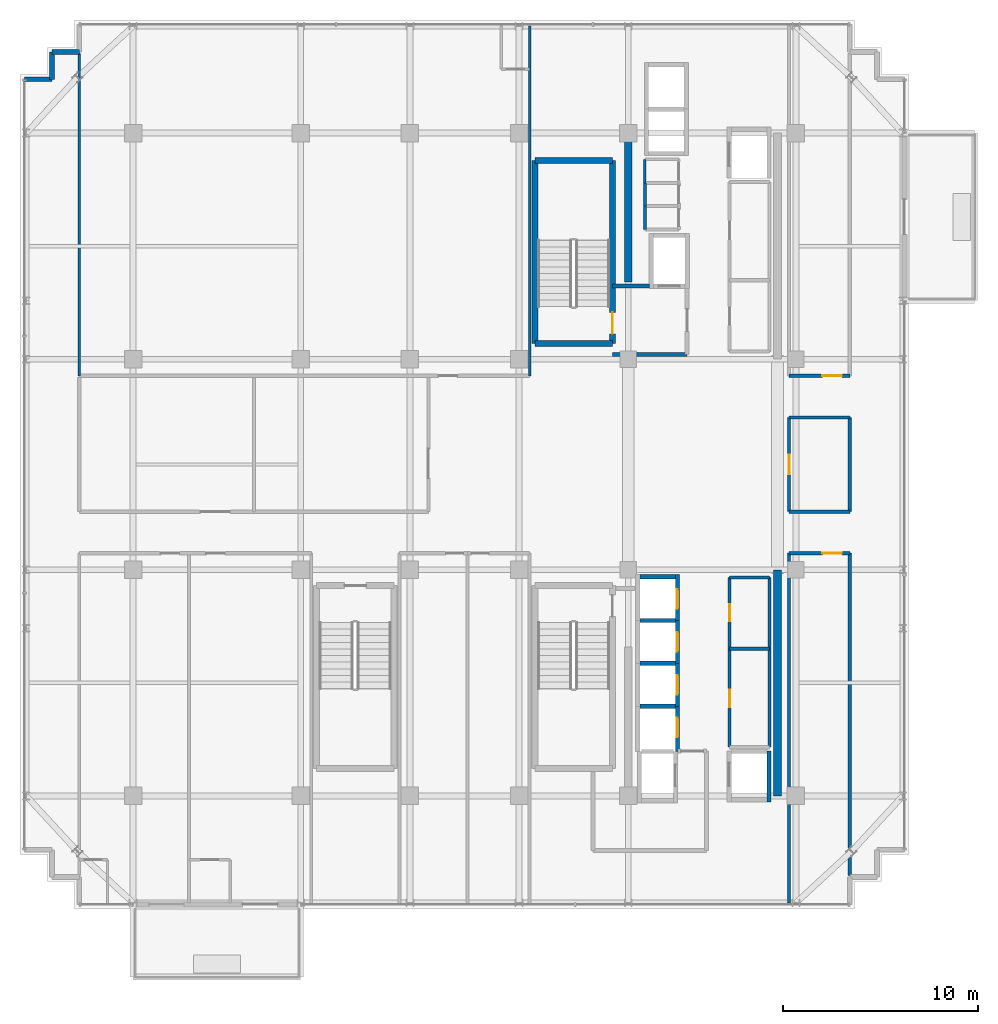
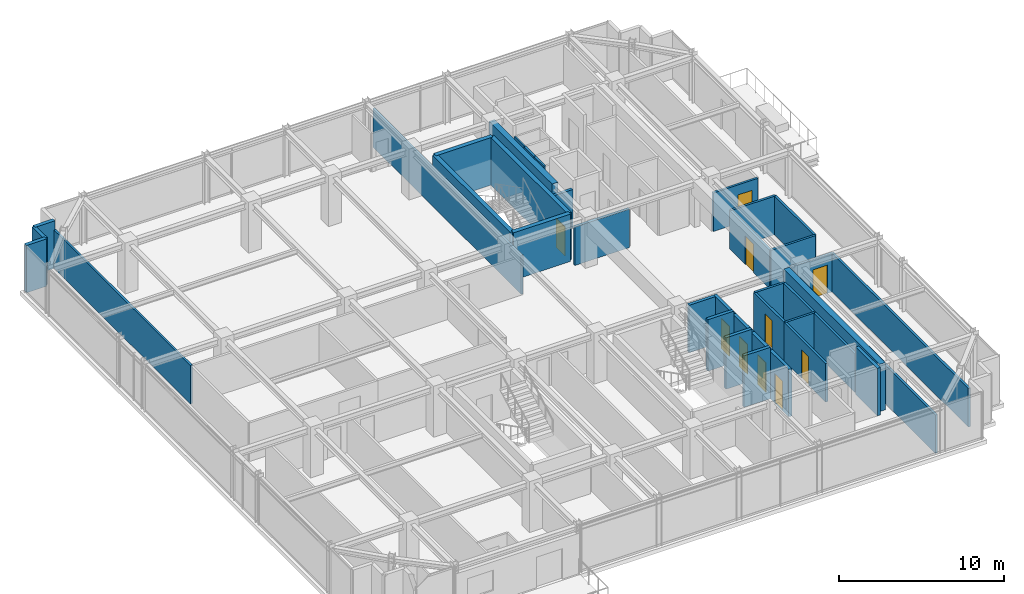
# One storey, part 28 of 33: 39 walls, 10 doors, 10 openings.
"""IFC4 building model written with IfcOpenShell, lengths in metres."""

from ifc_helpers import new_model, si_unit, direction, frame, frame_2d, origin, place, context, subcontext, project, spatial, rectangle, extrude, source, transform, mapped, material, layer, layer_set, type_object, element, fill, save


model = new_model("IFC4")

# Units and contexts
model_context = context("Model", 3, precision=1e-05, world=origin(), true_north=direction((0.0, 1.0)))
body_context = subcontext(model_context, "Body", "Model", "MODEL_VIEW")
ifc_project = project(units=[si_unit("LENGTHUNIT", "METRE"), si_unit("AREAUNIT", "SQUARE_METRE"), si_unit("VOLUMEUNIT", "CUBIC_METRE"), si_unit("PLANEANGLEUNIT", "RADIAN"), si_unit("MASSUNIT", "GRAM", prefix="KILO")], contexts=[model_context])

# Site, building, storey
site_placement = place(None, origin())
site = spatial("IfcSite", under=ifc_project, at=site_placement, CompositionType="ELEMENT")
building_placement = place(site_placement, origin())
building = spatial("IfcBuilding", under=site, at=building_placement, Name="Nahalor Promenade Grand Hotel", CompositionType="ELEMENT")
storey_placement = place(building_placement, frame((0.0, 0.0, 315.75)))
storey = spatial("IfcBuildingStorey", under=building, at=storey_placement, Name="L81", CompositionType="ELEMENT", Elevation=315.75)

# Walls
ifc_material_1 = material(Name="Concrete B-50 (C40/50)", Category="concrete")
ifc_layer_1 = layer(ifc_material_1, 0.39990234375)
ifc_layer_set_1 = layer_set([ifc_layer_1], Name="Concrete B-50 (C40/50)")
wall_type_1 = type_object("IfcWallType", Name="Wall-CoreShear-400", PredefinedType="SHEAR", material=ifc_layer_set_1)
shared_shape_1 = source(origin(), body_context, "Body", "SweptSolid", [
    extrude(rectangle(XDim=7.64990234375, YDim=0.39990234375, at=frame_2d((3.824951171875, 0.0))), origin(), (0.0, 0.0, 1.0), 3.5),
])
wall_1_placement = place(storey_placement, frame((8.39990234375, 9.35009765625, 0.0), z_axis=(0.0, 0.0, 1.0), x_axis=(0.0, 1.0, 0.0)))
element("IfcWall", 1, at=wall_1_placement, inside=storey, type_object=wall_type_1, Name="CWALL-L81-NW", PredefinedType="SHEAR", context=body_context, shape_type="MappedRepresentation", body=[
    mapped(shared_shape_1, transform((0.0, 0.0, 0.0), scale=1.0)),
])
shared_shape_2 = source(origin(), body_context, "Body", "SweptSolid", [
    extrude(rectangle(XDim=11.60009765625, YDim=0.39990234375, at=frame_2d((5.800048828125, 0.0))), origin(), (0.0, 0.0, 1.0), 3.5),
])
wall_2_placement = place(storey_placement, frame((16.050048828125, -17.0, 0.0), z_axis=(0.0, 0.0, 1.0), x_axis=(0.0, 1.0, 0.0)))
element("IfcWall", 2, at=wall_2_placement, inside=storey, type_object=wall_type_1, Name="CWALL-L81-SE", PredefinedType="SHEAR", context=body_context, shape_type="MappedRepresentation", body=[
    mapped(shared_shape_2, transform((0.0, 0.0, 0.0), scale=1.0)),
])
ifc_layer_2 = layer(ifc_material_1, 0.300048828125)
ifc_layer_set_2 = layer_set([ifc_layer_2], Name="Concrete B-50 (C40/50)")
wall_type_2 = type_object("IfcWallType", Name="Wall-ShaftShear-300", PredefinedType="SHEAR", material=ifc_layer_set_2)
shared_shape_3 = source(origin(), body_context, "Body", "SweptSolid", [
    extrude(rectangle(XDim=3.97998046875, YDim=0.300048828125, at=frame_2d((1.989990234375, 0.0))), origin(), (0.0, 0.0, 1.0), 3.5),
])
for number, where, z_axis, x_axis, name in (
    (3, (3.610107421875, 6.2099609375, 0.0), (0.0, 0.0, 1.0), (1.0, 0.0, 0.0), "L81 Exit Stair ST1 Shaft Wall S"),
    (4, (3.610107421875, 15.590087890625, 0.0), (0.0, 0.0, 1.0), (1.0, 0.0, 0.0), "L81 Exit Stair ST1 Shaft Wall N"),
):
    element("IfcWall", number, at=place(storey_placement, frame(where, z_axis=z_axis, x_axis=x_axis)), inside=storey, type_object=wall_type_2, Name=name, PredefinedType="SHEAR", context=body_context, shape_type="MappedRepresentation", body=[
        mapped(shared_shape_3, transform((0.0, 0.0, 0.0), scale=1.0)),
    ])
shared_shape_4 = source(origin(), body_context, "Body", "SweptSolid", [
    extrude(rectangle(XDim=9.380126953125, YDim=0.300048828125, at=frame_2d((4.68994140625, 0.0))), origin(), (0.0, 0.0, 1.0), 3.5),
])
wall_3_placement = place(storey_placement, frame((3.610107421875, 6.2099609375, 0.0), z_axis=(0.0, 0.0, 1.0), x_axis=(0.0, 1.0, 0.0)))
element("IfcWall", 5, at=wall_3_placement, inside=storey, type_object=wall_type_2, Name="L81 Exit Stair ST1 Shaft Wall W", PredefinedType="SHEAR", context=body_context, shape_type="MappedRepresentation", body=[
    mapped(shared_shape_4, transform((0.0, 0.0, 0.0), scale=1.0)),
])

# Wall, opening, door
wall_4_placement = place(storey_placement, frame((7.590087890625, 6.2099609375, 0.0), z_axis=(0.0, 0.0, 1.0), x_axis=(0.0, 1.0, 0.0)))
wall_4 = element("IfcWall", 6, at=wall_4_placement, inside=storey, type_object=wall_type_2, Name="L81 Exit Stair ST1 Shaft Wall E", PredefinedType="SHEAR", context=body_context, shape_type="MappedRepresentation", body=[
    mapped(shared_shape_4, transform((0.0, 0.0, 0.0), scale=1.0)),
])
opening_1_placement = place(wall_4_placement, frame((0.489990234375, 0.0, 0.0)))
opening_1 = element("IfcOpeningElement", 7, at=opening_1_placement, cuts=wall_4, Name="Opening D-ST1", PredefinedType="OPENING", context=body_context, shape_type="SweptSolid", body=[
    extrude(rectangle(XDim=1.10009765625, YDim=2.14990234375, at=frame_2d((0.550048828125, 1.074951171875))), frame((0.0, 0.159912109375, 0.0), z_axis=(0.0, -1.0, 0.0), x_axis=(1.0, 0.0, 0.0)), (0.0, 0.0, 1.0), 0.320068359375),
])
ifc_material_2 = material(Name="Steel S355JR", Category="steel")
door_type_1 = type_object("IfcDoorType", Name="Door-StairFire-1100", OperationType="NOTDEFINED", PredefinedType="DOOR", material=ifc_material_2)
shared_shape_5 = source(origin(), body_context, "Body", "SweptSolid", [
    extrude(rectangle(XDim=1.10009765625, YDim=2.14990234375, at=frame_2d((0.550048828125, 1.074951171875))), frame((0.0, 0.02490234375, 0.0), z_axis=(0.0, -1.0, 0.0), x_axis=(1.0, 0.0, 0.0)), (0.0, 0.0, 1.0), 0.050048828125),
])
door_1_placement = place(opening_1_placement, origin())
door_1 = element("IfcDoor", 8, at=door_1_placement, inside=storey, type_object=door_type_1, Name="DR-STAIR-ST1-L81", OperationType="SINGLE_SWING_RIGHT", OverallHeight=2.14990234375, OverallWidth=1.10009765625, PredefinedType="DOOR", context=body_context, shape_type="MappedRepresentation", body=[
    mapped(shared_shape_5, transform((0.0, 0.0, 0.0), scale=1.0)),
])
fill(opening_1, door_1)

ifc_layer_3 = layer(ifc_material_1, 0.219970703125)
ifc_layer_set_3 = layer_set([ifc_layer_3], Name="Concrete B-50 (C40/50)")
wall_type_3 = type_object("IfcWallType", Name="Wall-LiftShaft-220", PredefinedType="SHEAR", material=ifc_layer_set_3)
shared_shape_6 = source(origin(), body_context, "Body", "SweptSolid", [
    extrude(rectangle(XDim=2.360107421875, YDim=0.219970703125, at=frame_2d((1.18017578125, 0.0))), origin(), (0.0, 0.0, 1.0), 3.5),
])
wall_5_placement = place(storey_placement, frame((10.919921875, -8.0, 0.0), z_axis=(0.0, 0.0, 1.0), x_axis=(0.0, 1.0, 0.0)))
wall_5 = element("IfcWall", 9, at=wall_5_placement, inside=storey, type_object=wall_type_3, Name="L81 Lift PL9 Hoistway Wall E", PredefinedType="SHEAR", context=body_context, shape_type="MappedRepresentation", body=[
    mapped(shared_shape_6, transform((0.0, 0.0, 0.0), scale=1.0)),
])
opening_2_placement = place(wall_5_placement, frame((0.60009765625, 0.0, 0.0)))
opening_2 = element("IfcOpeningElement", 10, at=opening_2_placement, cuts=wall_5, Name="Opening LD-01", PredefinedType="OPENING", context=body_context, shape_type="SweptSolid", body=[
    extrude(rectangle(XDim=1.0, YDim=2.199951171875, at=frame_2d((0.5, 1.10009765625))), frame((0.0, 0.119873046875, 0.0), z_axis=(0.0, -1.0, 0.0), x_axis=(1.0, 0.0, 0.0)), (0.0, 0.0, 1.0), 0.239990234375),
])
door_type_2 = type_object("IfcDoorType", Name="Door-LiftLanding-1000", OperationType="DOUBLE_DOOR_SLIDING", PredefinedType="DOOR", material=ifc_material_2)
shared_shape_7 = source(origin(), body_context, "Body", "SweptSolid", [
    extrude(rectangle(XDim=1.0, YDim=2.199951171875, at=frame_2d((0.5, 1.10009765625))), frame((0.0, 0.02490234375, 0.0), z_axis=(0.0, -1.0, 0.0), x_axis=(1.0, 0.0, 0.0)), (0.0, 0.0, 1.0), 0.050048828125),
])
door_2_placement = place(opening_2_placement, frame((1.0, 0.0, 0.0), z_axis=(0.0, 0.0, 1.0), x_axis=(-1.0, 0.0, 0.0)))
door_2 = element("IfcDoor", 11, at=door_2_placement, inside=storey, type_object=door_type_2, Name="DR-LIFT-PL9-L81", OperationType="DOUBLE_DOOR_SLIDING", OverallHeight=2.199951171875, OverallWidth=1.0, PredefinedType="DOOR", context=body_context, shape_type="MappedRepresentation", body=[
    mapped(shared_shape_7, transform((0.0, 0.0, 0.0), scale=1.0)),
])
fill(opening_2, door_2)

# Wall
shared_shape_8 = source(origin(), body_context, "Body", "SweptSolid", [
    extrude(rectangle(XDim=1.820068359375, YDim=0.219970703125, at=frame_2d((0.91015625, 0.0))), origin(), (0.0, 0.0, 1.0), 3.5),
])
wall_6_placement = place(storey_placement, frame((8.989990234375, -5.75, 0.0), z_axis=(0.0, 0.0, 1.0), x_axis=(1.0, 0.0, 0.0)))
element("IfcWall", 12, at=wall_6_placement, inside=storey, type_object=wall_type_3, Name="L81 Lift PL9 Hoistway Wall N", PredefinedType="SHEAR", context=body_context, shape_type="MappedRepresentation", body=[
    mapped(shared_shape_8, transform((0.0, 0.0, 0.0), scale=1.0)),
])

# Wall, opening, door
shared_shape_9 = source(origin(), body_context, "Body", "SweptSolid", [
    extrude(rectangle(XDim=2.199951171875, YDim=0.219970703125, at=frame_2d((1.10009765625, 0.0))), origin(), (0.0, 0.0, 1.0), 3.5),
])
wall_7_placement = place(storey_placement, frame((10.919921875, -10.199951171875, 0.0), z_axis=(0.0, 0.0, 1.0), x_axis=(0.0, 1.0, 0.0)))
wall_7 = element("IfcWall", 13, at=wall_7_placement, inside=storey, type_object=wall_type_3, Name="L81 Lift PL10 Hoistway Wall E", PredefinedType="SHEAR", context=body_context, shape_type="MappedRepresentation", body=[
    mapped(shared_shape_9, transform((0.0, 0.0, 0.0), scale=1.0)),
])
opening_3_placement = place(wall_7_placement, frame((0.60009765625, 0.0, 0.0)))
opening_3 = element("IfcOpeningElement", 14, at=opening_3_placement, cuts=wall_7, Name="Opening LD-01", PredefinedType="OPENING", context=body_context, shape_type="SweptSolid", body=[
    extrude(rectangle(XDim=1.0, YDim=2.199951171875, at=frame_2d((0.5, 1.10009765625))), frame((0.0, 0.119873046875, 0.0), z_axis=(0.0, -1.0, 0.0), x_axis=(1.0, 0.0, 0.0)), (0.0, 0.0, 1.0), 0.239990234375),
])
door_3_placement = place(opening_3_placement, frame((1.0, 0.0, 0.0), z_axis=(0.0, 0.0, 1.0), x_axis=(-1.0, 0.0, 0.0)))
door_3 = element("IfcDoor", 15, at=door_3_placement, inside=storey, type_object=door_type_2, Name="DR-LIFT-PL10-L81", OperationType="DOUBLE_DOOR_SLIDING", OverallHeight=2.199951171875, OverallWidth=1.0, PredefinedType="DOOR", context=body_context, shape_type="MappedRepresentation", body=[
    mapped(shared_shape_7, transform((0.0, 0.0, 0.0), scale=1.0)),
])
fill(opening_3, door_3)

wall_8_placement = place(storey_placement, frame((10.919921875, -12.39990234375, 0.0), z_axis=(0.0, 0.0, 1.0), x_axis=(0.0, 1.0, 0.0)))
wall_8 = element("IfcWall", 16, at=wall_8_placement, inside=storey, type_object=wall_type_3, Name="L81 Lift PL11 Hoistway Wall E", PredefinedType="SHEAR", context=body_context, shape_type="MappedRepresentation", body=[
    mapped(shared_shape_9, transform((0.0, 0.0, 0.0), scale=1.0)),
])
opening_4_placement = place(wall_8_placement, frame((0.60009765625, 0.0, 0.0)))
opening_4 = element("IfcOpeningElement", 17, at=opening_4_placement, cuts=wall_8, Name="Opening LD-01", PredefinedType="OPENING", context=body_context, shape_type="SweptSolid", body=[
    extrude(rectangle(XDim=1.0, YDim=2.199951171875, at=frame_2d((0.5, 1.10009765625))), frame((0.0, 0.119873046875, 0.0), z_axis=(0.0, -1.0, 0.0), x_axis=(1.0, 0.0, 0.0)), (0.0, 0.0, 1.0), 0.239990234375),
])
door_4_placement = place(opening_4_placement, frame((1.0, 0.0, 0.0), z_axis=(0.0, 0.0, 1.0), x_axis=(-1.0, 0.0, 0.0)))
door_4 = element("IfcDoor", 18, at=door_4_placement, inside=storey, type_object=door_type_2, Name="DR-LIFT-PL11-L81", OperationType="DOUBLE_DOOR_SLIDING", OverallHeight=2.199951171875, OverallWidth=1.0, PredefinedType="DOOR", context=body_context, shape_type="MappedRepresentation", body=[
    mapped(shared_shape_7, transform((0.0, 0.0, 0.0), scale=1.0)),
])
fill(opening_4, door_4)

# Walls
shared_shape_10 = source(origin(), body_context, "Body", "SweptSolid", [
    extrude(rectangle(XDim=1.820068359375, YDim=0.219970703125, at=frame_2d((0.91015625, 0.0))), origin(), (0.0, 0.0, 1.0), 3.800048828125),
])
for number, where, z_axis, x_axis, name in (
    (19, (8.989990234375, -8.0, 0.0), (0.0, 0.0, 1.0), (1.0, 0.0, 0.0), "L81 Lift PL10 Hoistway Wall N"),
    (20, (8.989990234375, -10.199951171875, 0.0), (0.0, 0.0, 1.0), (1.0, 0.0, 0.0), "L81 Lift PL11 Hoistway Wall N"),
    (21, (8.989990234375, -12.39990234375, 0.0), (0.0, 0.0, 1.0), (1.0, 0.0, 0.0), "L81 Lift PL12 Hoistway Wall N"),
):
    element("IfcWall", number, at=place(storey_placement, frame(where, z_axis=z_axis, x_axis=x_axis)), inside=storey, type_object=wall_type_3, Name=name, PredefinedType="SHEAR", context=body_context, shape_type="MappedRepresentation", body=[
        mapped(shared_shape_10, transform((0.0, 0.0, 0.0), scale=1.0)),
    ])

# Wall, opening, door
shared_shape_11 = source(origin(), body_context, "Body", "SweptSolid", [
    extrude(rectangle(XDim=2.3251953125, YDim=0.219970703125, at=frame_2d((1.16259765625, 0.0))), origin(), (0.0, 0.0, 1.0), 3.5),
])
wall_9_placement = place(storey_placement, frame((10.919921875, -14.72509765625, 0.0), z_axis=(0.0, 0.0, 1.0), x_axis=(0.0, 1.0, 0.0)))
wall_9 = element("IfcWall", 22, at=wall_9_placement, inside=storey, type_object=wall_type_3, Name="L81 Lift PL12 Hoistway Wall E", PredefinedType="SHEAR", context=body_context, shape_type="MappedRepresentation", body=[
    mapped(shared_shape_11, transform((0.0, 0.0, 0.0), scale=1.0)),
])
opening_5_placement = place(wall_9_placement, frame((0.72509765625, 0.0, 0.0)))
opening_5 = element("IfcOpeningElement", 23, at=opening_5_placement, cuts=wall_9, Name="Opening LD-01", PredefinedType="OPENING", context=body_context, shape_type="SweptSolid", body=[
    extrude(rectangle(XDim=1.0, YDim=2.199951171875, at=frame_2d((0.5, 1.10009765625))), frame((0.0, 0.119873046875, 0.0), z_axis=(0.0, -1.0, 0.0), x_axis=(1.0, 0.0, 0.0)), (0.0, 0.0, 1.0), 0.239990234375),
])
door_5_placement = place(opening_5_placement, frame((1.0, 0.0, 0.0), z_axis=(0.0, 0.0, 1.0), x_axis=(-1.0, 0.0, 0.0)))
door_5 = element("IfcDoor", 24, at=door_5_placement, inside=storey, type_object=door_type_2, Name="DR-LIFT-PL12-L81", OperationType="DOUBLE_DOOR_SLIDING", OverallHeight=2.199951171875, OverallWidth=1.0, PredefinedType="DOOR", context=body_context, shape_type="MappedRepresentation", body=[
    mapped(shared_shape_7, transform((0.0, 0.0, 0.0), scale=1.0)),
])
fill(opening_5, door_5)

# Walls
shared_shape_12 = source(origin(), body_context, "Body", "SweptSolid", [
    extrude(rectangle(XDim=2.610107421875, YDim=0.219970703125, at=frame_2d((1.30517578125, 0.0))), origin(), (0.0, 0.0, 1.0), 3.5),
])
wall_10_placement = place(storey_placement, frame((15.6201171875, -17.31005859375, 0.0), z_axis=(0.0, 0.0, 1.0), x_axis=(0.0, 1.0, 0.0)))
element("IfcWall", 25, at=wall_10_placement, inside=storey, type_object=wall_type_3, Name="L81 Lift SV2 Hoistway Wall E", PredefinedType="SHEAR", context=body_context, shape_type="MappedRepresentation", body=[
    mapped(shared_shape_12, transform((0.0, 0.0, 0.0), scale=1.0)),
])
ifc_material_3 = material(Name="Concrete B-40 (C32/40)", Category="concrete")
ifc_layer_4 = layer(ifc_material_3, 0.25)
ifc_layer_set_4 = layer_set([ifc_layer_4], Name="Concrete B-40 (C32/40)")
wall_type_4 = type_object("IfcWallType", Name="Wall-BronzePier-250", PredefinedType="STANDARD", material=ifc_layer_set_4)
shared_shape_13 = source(origin(), body_context, "Body", "SweptSolid", [
    extrude(rectangle(XDim=1.400146484375, YDim=0.25, at=frame_2d((0.7001953125, 0.0))), origin(), (0.0, 0.0, 1.0), 3.5),
])
wall_11_placement = place(storey_placement, frame((-22.56005859375, 19.760009765625, 0.0), z_axis=(0.0, 0.0, 1.0), x_axis=(1.0, 0.0, 0.0)))
element("IfcWall", 26, at=wall_11_placement, inside=storey, type_object=wall_type_4, Name="W-L81-SR-12", PredefinedType="STANDARD", context=body_context, shape_type="MappedRepresentation", body=[
    mapped(shared_shape_13, transform((0.0, 0.0, 0.0), scale=1.0)),
])
shared_shape_14 = source(origin(), body_context, "Body", "SweptSolid", [
    extrude(rectangle(XDim=1.39990234375, YDim=0.25, at=frame_2d((0.699951171875, 0.0))), origin(), (0.0, 0.0, 1.0), 3.5),
])
for number, where, z_axis, x_axis, name in (
    (27, (-21.159912109375, 21.159912109375, 0.0), (0.0, 0.0, 1.0), (1.0, 0.0, 0.0), "W-L81-SR-10"),
    (28, (-21.159912109375, 19.760009765625, 0.0), (0.0, 0.0, 1.0), (0.0, 1.0, 0.0), "W-L81-SR-11"),
):
    element("IfcWall", number, at=place(storey_placement, frame(where, z_axis=z_axis, x_axis=x_axis)), inside=storey, type_object=wall_type_4, Name=name, PredefinedType="STANDARD", context=body_context, shape_type="MappedRepresentation", body=[
        mapped(shared_shape_14, transform((0.0, 0.0, 0.0), scale=1.0)),
    ])
ifc_layer_5 = layer(ifc_material_3, 0.199951171875)
ifc_layer_set_5 = layer_set([ifc_layer_5], Name="Concrete B-40 (C32/40)")
wall_type_5 = type_object("IfcWallType", Name="Wall-PartFire-200", PredefinedType="PARTITIONING", material=ifc_layer_set_5)
shared_shape_15 = source(origin(), body_context, "Body", "SweptSolid", [
    extrude(rectangle(XDim=3.81982421875, YDim=0.199951171875, at=frame_2d((1.909912109375, 0.0))), origin(), (0.0, 0.0, 1.0), 2.840087890625),
])
wall_12_placement = place(storey_placement, frame((7.60009765625, 5.64990234375, 0.0), z_axis=(0.0, 0.0, 1.0), x_axis=(1.0, 0.0, 0.0)))
element("IfcWall", 29, at=wall_12_placement, inside=storey, type_object=wall_type_5, Name="W-L81-FF1-S", PredefinedType="PARTITIONING", context=body_context, shape_type="MappedRepresentation", body=[
    mapped(shared_shape_15, transform((0.0, 0.0, 0.0), scale=1.0)),
])
shared_shape_16 = source(origin(), body_context, "Body", "SweptSolid", [
    extrude(rectangle(XDim=1.89990234375, YDim=0.199951171875, at=frame_2d((0.949951171875, 0.0))), origin(), (0.0, 0.0, 1.0), 2.840087890625),
])
wall_13_placement = place(storey_placement, frame((7.60009765625, 9.14990234375, 0.0), z_axis=(0.0, 0.0, 1.0), x_axis=(1.0, 0.0, 0.0)))
element("IfcWall", 30, at=wall_13_placement, inside=storey, type_object=wall_type_5, Name="W-L81-FF1-N", PredefinedType="PARTITIONING", context=body_context, shape_type="MappedRepresentation", body=[
    mapped(shared_shape_16, transform((0.0, 0.0, 0.0), scale=1.0)),
])
ifc_material_4 = material(Name="Acoustic Mineral Gypsum", Category="gypsum")
ifc_layer_6 = layer(ifc_material_4, 0.14990234375)
ifc_layer_set_6 = layer_set([ifc_layer_6], Name="Acoustic Mineral Gypsum")
wall_type_6 = type_object("IfcWallType", Name="Wall-PartService-150", PredefinedType="PARTITIONING", material=ifc_layer_set_6)
shared_shape_17 = source(origin(), body_context, "Body", "SweptSolid", [
    extrude(rectangle(XDim=1.199951171875, YDim=0.14990234375, at=frame_2d((0.60009765625, 0.0))), origin(), (0.0, 0.0, 1.0), 2.840087890625),
])
for number, where, z_axis, x_axis, name in (
    (31, (9.25, 12.050048828125, 0.0), (0.0, 0.0, 1.0), (0.0, 1.0, 0.0), "W-L81-CK3A-W"),
    (32, (9.25, 13.25, 0.0), (0.0, 0.0, 1.0), (0.0, 1.0, 0.0), "W-L81-CK3B-W"),
):
    element("IfcWall", number, at=place(storey_placement, frame(where, z_axis=z_axis, x_axis=x_axis)), inside=storey, type_object=wall_type_6, Name=name, PredefinedType="PARTITIONING", context=body_context, shape_type="MappedRepresentation", body=[
        mapped(shared_shape_17, transform((0.0, 0.0, 0.0), scale=1.0)),
    ])
ifc_layer_7 = layer(ifc_material_4, 0.1201171875)
ifc_layer_set_7 = layer_set([ifc_layer_7], Name="Acoustic Mineral Gypsum")
wall_type_7 = type_object("IfcWallType", Name="Wall-PartBath-120", PredefinedType="PARTITIONING", material=ifc_layer_set_7)
shared_shape_18 = source(origin(), body_context, "Body", "SweptSolid", [
    extrude(rectangle(XDim=1.199951171875, YDim=0.1201171875, at=frame_2d((0.60009765625, 0.0))), origin(), (0.0, 0.0, 1.0), 2.840087890625),
])
wall_14_placement = place(storey_placement, frame((9.25, 14.449951171875, 0.0), z_axis=(0.0, 0.0, 1.0), x_axis=(0.0, 1.0, 0.0)))
element("IfcWall", 33, at=wall_14_placement, inside=storey, type_object=wall_type_7, Name="W-L81-CK3C-W", PredefinedType="PARTITIONING", context=body_context, shape_type="MappedRepresentation", body=[
    mapped(shared_shape_18, transform((0.0, 0.0, 0.0), scale=1.0)),
])
ifc_layer_8 = layer(ifc_material_4, 0.159912109375)
ifc_layer_set_8 = layer_set([ifc_layer_8], Name="Acoustic Mineral Gypsum")
wall_type_8 = type_object("IfcWallType", Name="Wall-PartCorridor-160", PredefinedType="PARTITIONING", material=ifc_layer_set_8)
shared_shape_19 = source(origin(), body_context, "Body", "SweptSolid", [
    extrude(rectangle(XDim=2.0498046875, YDim=0.159912109375, at=frame_2d((1.02490234375, 0.0))), origin(), (0.0, 0.0, 1.0), 2.840087890625),
])
for number, where, z_axis, x_axis, name in (
    (34, (13.60009765625, -9.449951171875, 0.0), (0.0, 0.0, 1.0), (1.0, 0.0, 0.0), "W-L81-FRB2A-N"),
    (35, (13.60009765625, -5.800048828125, 0.0), (0.0, 0.0, 1.0), (1.0, 0.0, 0.0), "W-L81-FRB2B-N"),
):
    element("IfcWall", number, at=place(storey_placement, frame(where, z_axis=z_axis, x_axis=x_axis)), inside=storey, type_object=wall_type_8, Name=name, PredefinedType="PARTITIONING", context=body_context, shape_type="MappedRepresentation", body=[
        mapped(shared_shape_19, transform((0.0, 0.0, 0.0), scale=1.0)),
    ])

# Wall, opening, door
shared_shape_20 = source(origin(), body_context, "Body", "SweptSolid", [
    extrude(rectangle(XDim=3.64990234375, YDim=0.159912109375, at=frame_2d((1.824951171875, 0.0))), origin(), (0.0, 0.0, 1.0), 2.840087890625),
])
wall_15_placement = place(storey_placement, frame((13.60009765625, -9.449951171875, 0.0), z_axis=(0.0, 0.0, 1.0), x_axis=(0.0, 1.0, 0.0)))
wall_15 = element("IfcWall", 36, at=wall_15_placement, inside=storey, type_object=wall_type_8, Name="W-L81-FRB2B-W", PredefinedType="PARTITIONING", context=body_context, shape_type="MappedRepresentation", body=[
    mapped(shared_shape_20, transform((0.0, 0.0, 0.0), scale=1.0)),
])
opening_6_placement = place(wall_15_placement, frame((1.409912109375, 0.0, 0.0)))
opening_6 = element("IfcOpeningElement", 37, at=opening_6_placement, cuts=wall_15, Name="Opening D-03", PredefinedType="OPENING", context=body_context, shape_type="SweptSolid", body=[
    extrude(rectangle(XDim=0.8798828125, YDim=2.10009765625, at=frame_2d((0.43994140625, 1.050048828125))), frame((0.0, 0.08984375, 0.0), z_axis=(0.0, -1.0, 0.0), x_axis=(1.0, 0.0, 0.0)), (0.0, 0.0, 1.0), 0.179931640625),
])
ifc_material_5 = material(Name="Fire-Rated Timber Composite", Category="wood")
door_type_3 = type_object("IfcDoorType", Name="Door-BathSwing-880", OperationType="NOTDEFINED", PredefinedType="DOOR", material=ifc_material_5)
shared_shape_21 = source(origin(), body_context, "Body", "SweptSolid", [
    extrude(rectangle(XDim=0.8798828125, YDim=2.10009765625, at=frame_2d((0.43994140625, 1.050048828125))), frame((0.0, 0.02490234375, 0.0), z_axis=(0.0, -1.0, 0.0), x_axis=(1.0, 0.0, 0.0)), (0.0, 0.0, 1.0), 0.050048828125),
])
door_6_placement = place(opening_6_placement, frame((0.8798828125, 0.0, 0.0), z_axis=(0.0, 0.0, 1.0), x_axis=(-1.0, 0.0, 0.0)))
door_6 = element("IfcDoor", 38, at=door_6_placement, inside=storey, type_object=door_type_3, Name="DR-L81-FRB2B", OperationType="SINGLE_SWING_RIGHT", OverallHeight=2.10009765625, OverallWidth=0.8798828125, PredefinedType="DOOR", context=body_context, shape_type="MappedRepresentation", body=[
    mapped(shared_shape_21, transform((0.0, 0.0, 0.0), scale=1.0)),
])
fill(opening_6, door_6)

# Wall
wall_16_placement = place(storey_placement, frame((15.64990234375, -9.449951171875, 0.0), z_axis=(0.0, 0.0, 1.0), x_axis=(0.0, 1.0, 0.0)))
element("IfcWall", 39, at=wall_16_placement, inside=storey, type_object=wall_type_8, Name="W-L81-FRB2B-E", PredefinedType="PARTITIONING", context=body_context, shape_type="MappedRepresentation", body=[
    mapped(shared_shape_20, transform((0.0, 0.0, 0.0), scale=1.0)),
])

# Wall, opening, door
shared_shape_22 = source(origin(), body_context, "Body", "SweptSolid", [
    extrude(rectangle(XDim=5.050048828125, YDim=0.159912109375, at=frame_2d((2.52490234375, 0.0))), origin(), (0.0, 0.0, 1.0), 2.840087890625),
])
wall_17_placement = place(storey_placement, frame((13.60009765625, -14.5, 0.0), z_axis=(0.0, 0.0, 1.0), x_axis=(0.0, 1.0, 0.0)))
wall_17 = element("IfcWall", 40, at=wall_17_placement, inside=storey, type_object=wall_type_8, Name="W-L81-FRB2A-W", PredefinedType="PARTITIONING", context=body_context, shape_type="MappedRepresentation", body=[
    mapped(shared_shape_22, transform((0.0, 0.0, 0.0), scale=1.0)),
])
opening_7_placement = place(wall_17_placement, frame((2.06005859375, 0.0, 0.0)))
opening_7 = element("IfcOpeningElement", 41, at=opening_7_placement, cuts=wall_17, Name="Opening D-03", PredefinedType="OPENING", context=body_context, shape_type="SweptSolid", body=[
    extrude(rectangle(XDim=0.8798828125, YDim=2.10009765625, at=frame_2d((0.43994140625, 1.050048828125))), frame((0.0, 0.08984375, 0.0), z_axis=(0.0, -1.0, 0.0), x_axis=(1.0, 0.0, 0.0)), (0.0, 0.0, 1.0), 0.179931640625),
])
door_7_placement = place(opening_7_placement, frame((0.8798828125, 0.0, 0.0), z_axis=(0.0, 0.0, 1.0), x_axis=(-1.0, 0.0, 0.0)))
door_7 = element("IfcDoor", 42, at=door_7_placement, inside=storey, type_object=door_type_3, Name="DR-L81-FRB2A", OperationType="SINGLE_SWING_LEFT", OverallHeight=2.10009765625, OverallWidth=0.8798828125, PredefinedType="DOOR", context=body_context, shape_type="MappedRepresentation", body=[
    mapped(shared_shape_21, transform((0.0, 0.0, 0.0), scale=1.0)),
])
fill(opening_7, door_7)

# Wall
wall_18_placement = place(storey_placement, frame((15.64990234375, -14.5, 0.0), z_axis=(0.0, 0.0, 1.0), x_axis=(0.0, 1.0, 0.0)))
element("IfcWall", 43, at=wall_18_placement, inside=storey, type_object=wall_type_8, Name="W-L81-FRB2A-E", PredefinedType="PARTITIONING", context=body_context, shape_type="MappedRepresentation", body=[
    mapped(shared_shape_22, transform((0.0, 0.0, 0.0), scale=1.0)),
])

# Wall, opening, door
shared_shape_23 = source(origin(), body_context, "Body", "SweptSolid", [
    extrude(rectangle(XDim=3.110107421875, YDim=0.159912109375, at=frame_2d((1.55517578125, 0.0))), origin(), (0.0, 0.0, 1.0), 2.840087890625),
])
wall_19_placement = place(storey_placement, frame((16.64990234375, 4.550048828125, 0.0), z_axis=(0.0, 0.0, 1.0), x_axis=(1.0, 0.0, 0.0)))
wall_19 = element("IfcWall", 44, at=wall_19_placement, inside=storey, type_object=wall_type_8, Name="W-L81-ENE-S", PredefinedType="PARTITIONING", context=body_context, shape_type="MappedRepresentation", body=[
    mapped(shared_shape_23, transform((0.0, 0.0, 0.0), scale=1.0)),
])
opening_8_placement = place(wall_19_placement, frame((1.700927734375, 0.0, 0.0)))
opening_8 = element("IfcOpeningElement", 45, at=opening_8_placement, cuts=wall_19, Name="Opening D-04", PredefinedType="OPENING", context=body_context, shape_type="SweptSolid", body=[
    extrude(rectangle(XDim=1.0, YDim=2.10009765625, at=frame_2d((0.5, 1.050048828125))), frame((0.0, 0.08984375, 0.0), z_axis=(0.0, -1.0, 0.0), x_axis=(1.0, 0.0, 0.0)), (0.0, 0.0, 1.0), 0.179931640625),
])
door_type_4 = type_object("IfcDoorType", Name="Door-ServiceFire-1000", OperationType="NOTDEFINED", PredefinedType="DOOR", material=ifc_material_2)
shared_shape_24 = source(origin(), body_context, "Body", "SweptSolid", [
    extrude(rectangle(XDim=1.0, YDim=2.10009765625, at=frame_2d((0.5, 1.050048828125))), frame((0.0, 0.02490234375, 0.0), z_axis=(0.0, -1.0, 0.0), x_axis=(1.0, 0.0, 0.0)), (0.0, 0.0, 1.0), 0.050048828125),
])
door_8_placement = place(opening_8_placement, origin())
door_8 = element("IfcDoor", 46, at=door_8_placement, inside=storey, type_object=door_type_4, Name="DR-L81-ENE", OperationType="SINGLE_SWING_LEFT", OverallHeight=2.10009765625, OverallWidth=1.0, PredefinedType="DOOR", context=body_context, shape_type="MappedRepresentation", body=[
    mapped(shared_shape_24, transform((0.0, 0.0, 0.0), scale=1.0)),
])
fill(opening_8, door_8)

wall_20_placement = place(storey_placement, frame((16.64990234375, -4.550048828125, 0.0), z_axis=(0.0, 0.0, 1.0), x_axis=(1.0, 0.0, 0.0)))
wall_20 = element("IfcWall", 47, at=wall_20_placement, inside=storey, type_object=wall_type_8, Name="W-L81-ESE-N", PredefinedType="PARTITIONING", context=body_context, shape_type="MappedRepresentation", body=[
    mapped(shared_shape_23, transform((0.0, 0.0, 0.0), scale=1.0)),
])
opening_9_placement = place(wall_20_placement, frame((1.700927734375, 0.0, 0.0)))
opening_9 = element("IfcOpeningElement", 48, at=opening_9_placement, cuts=wall_20, Name="Opening D-04", PredefinedType="OPENING", context=body_context, shape_type="SweptSolid", body=[
    extrude(rectangle(XDim=1.0, YDim=2.10009765625, at=frame_2d((0.5, 1.050048828125))), frame((0.0, 0.08984375, 0.0), z_axis=(0.0, -1.0, 0.0), x_axis=(1.0, 0.0, 0.0)), (0.0, 0.0, 1.0), 0.179931640625),
])
door_9_placement = place(opening_9_placement, frame((1.0, 0.0, 0.0), z_axis=(0.0, 0.0, 1.0), x_axis=(-1.0, 0.0, 0.0)))
door_9 = element("IfcDoor", 49, at=door_9_placement, inside=storey, type_object=door_type_4, Name="DR-L81-ESE", OperationType="SINGLE_SWING_RIGHT", OverallHeight=2.10009765625, OverallWidth=1.0, PredefinedType="DOOR", context=body_context, shape_type="MappedRepresentation", body=[
    mapped(shared_shape_24, transform((0.0, 0.0, 0.0), scale=1.0)),
])
fill(opening_9, door_9)

# Walls
for number, where, z_axis, x_axis, name in (
    (50, (16.64990234375, -2.419921875, 0.0), (0.0, 0.0, 1.0), (1.0, 0.0, 0.0), "W-L81-ECW-S"),
    (51, (16.64990234375, 2.419921875, 0.0), (0.0, 0.0, 1.0), (1.0, 0.0, 0.0), "W-L81-ECW-N"),
):
    element("IfcWall", number, at=place(storey_placement, frame(where, z_axis=z_axis, x_axis=x_axis)), inside=storey, type_object=wall_type_8, Name=name, PredefinedType="PARTITIONING", context=body_context, shape_type="MappedRepresentation", body=[
        mapped(shared_shape_23, transform((0.0, 0.0, 0.0), scale=1.0)),
    ])
shared_shape_25 = source(origin(), body_context, "Body", "SweptSolid", [
    extrude(rectangle(XDim=17.949951171875, YDim=0.159912109375, at=frame_2d((8.97509765625, 0.0))), origin(), (0.0, 0.0, 1.0), 2.840087890625),
])
wall_21_placement = place(storey_placement, frame((16.64990234375, -22.5, 0.0), z_axis=(0.0, 0.0, 1.0), x_axis=(0.0, 1.0, 0.0)))
element("IfcWall", 52, at=wall_21_placement, inside=storey, type_object=wall_type_8, Name="W-L81-ESE-W", PredefinedType="PARTITIONING", context=body_context, shape_type="MappedRepresentation", body=[
    mapped(shared_shape_25, transform((0.0, 0.0, 0.0), scale=1.0)),
])
shared_shape_26 = source(origin(), body_context, "Body", "SweptSolid", [
    extrude(rectangle(XDim=16.530029296875, YDim=0.159912109375, at=frame_2d((8.26513671875, 0.0))), origin(), (0.0, 0.0, 1.0), 2.840087890625),
])
wall_22_placement = place(storey_placement, frame((19.760009765625, -21.080078125, 0.0), z_axis=(0.0, 0.0, 1.0), x_axis=(0.0, 1.0, 0.0)))
element("IfcWall", 53, at=wall_22_placement, inside=storey, type_object=wall_type_8, Name="W-L81-ESE-E", PredefinedType="PARTITIONING", context=body_context, shape_type="MappedRepresentation", body=[
    mapped(shared_shape_26, transform((0.0, 0.0, 0.0), scale=1.0)),
])
ifc_layer_9 = layer(ifc_material_4, 0.139892578125)
ifc_layer_set_9 = layer_set([ifc_layer_9], Name="Acoustic Mineral Gypsum")
wall_type_9 = type_object("IfcWallType", Name="Wall-PartSuite-140", PredefinedType="PARTITIONING", material=ifc_layer_set_9)
shared_shape_27 = source(origin(), body_context, "Body", "SweptSolid", [
    extrude(rectangle(XDim=16.530029296875, YDim=0.139892578125, at=frame_2d((8.26513671875, 0.0))), origin(), (0.0, 0.0, 1.0), 2.840087890625),
])
wall_23_placement = place(storey_placement, frame((-19.760009765625, 4.550048828125, 0.0), z_axis=(0.0, 0.0, 1.0), x_axis=(0.0, 1.0, 0.0)))
element("IfcWall", 54, at=wall_23_placement, inside=storey, type_object=wall_type_9, Name="W-L81-NW-ENDW", PredefinedType="PARTITIONING", context=body_context, shape_type="MappedRepresentation", body=[
    mapped(shared_shape_27, transform((0.0, 0.0, 0.0), scale=1.0)),
])
shared_shape_28 = source(origin(), body_context, "Body", "SweptSolid", [
    extrude(rectangle(XDim=17.949951171875, YDim=0.139892578125, at=frame_2d((8.97509765625, 0.0))), origin(), (0.0, 0.0, 1.0), 2.840087890625),
])
wall_24_placement = place(storey_placement, frame((3.340087890625, 4.550048828125, 0.0), z_axis=(0.0, 0.0, 1.0), x_axis=(0.0, 1.0, 0.0)))
element("IfcWall", 55, at=wall_24_placement, inside=storey, type_object=wall_type_9, Name="W-L81-NW-ENDE", PredefinedType="PARTITIONING", context=body_context, shape_type="MappedRepresentation", body=[
    mapped(shared_shape_28, transform((0.0, 0.0, 0.0), scale=1.0)),
])

# Wall, opening, door
shared_shape_29 = source(origin(), body_context, "Body", "SweptSolid", [
    extrude(rectangle(XDim=4.83984375, YDim=0.159912109375, at=frame_2d((2.419921875, 0.0))), origin(), (0.0, 0.0, 1.0), 2.840087890625),
])
wall_25_placement = place(storey_placement, frame((16.64990234375, -2.419921875, 0.0), z_axis=(0.0, 0.0, 1.0), x_axis=(0.0, 1.0, 0.0)))
wall_25 = element("IfcWall", 56, at=wall_25_placement, inside=storey, type_object=wall_type_8, Name="W-L81-ECW-W", PredefinedType="PARTITIONING", context=body_context, shape_type="MappedRepresentation", body=[
    mapped(shared_shape_29, transform((0.0, 0.0, 0.0), scale=1.0)),
])
opening_10_placement = place(wall_25_placement, frame((1.919921875, 0.0, 0.0)))
opening_10 = element("IfcOpeningElement", 57, at=opening_10_placement, cuts=wall_25, Name="Opening D-04", PredefinedType="OPENING", context=body_context, shape_type="SweptSolid", body=[
    extrude(rectangle(XDim=1.0, YDim=2.10009765625, at=frame_2d((0.5, 1.050048828125))), frame((0.0, 0.08984375, 0.0), z_axis=(0.0, -1.0, 0.0), x_axis=(1.0, 0.0, 0.0)), (0.0, 0.0, 1.0), 0.179931640625),
])
door_10_placement = place(opening_10_placement, frame((1.0, 0.0, 0.0), z_axis=(0.0, 0.0, 1.0), x_axis=(-1.0, 0.0, 0.0)))
door_10 = element("IfcDoor", 58, at=door_10_placement, inside=storey, type_object=door_type_4, Name="DR-L81-ECW", OperationType="SINGLE_SWING_LEFT", OverallHeight=2.10009765625, OverallWidth=1.0, PredefinedType="DOOR", context=body_context, shape_type="MappedRepresentation", body=[
    mapped(shared_shape_24, transform((0.0, 0.0, 0.0), scale=1.0)),
])
fill(opening_10, door_10)

# Wall
wall_26_placement = place(storey_placement, frame((19.760009765625, -2.419921875, 0.0), z_axis=(0.0, 0.0, 1.0), x_axis=(0.0, 1.0, 0.0)))
element("IfcWall", 59, at=wall_26_placement, inside=storey, type_object=wall_type_8, Name="W-L81-ECW-E", PredefinedType="PARTITIONING", context=body_context, shape_type="MappedRepresentation", body=[
    mapped(shared_shape_29, transform((0.0, 0.0, 0.0), scale=1.0)),
])

save(model, "model.ifc")
